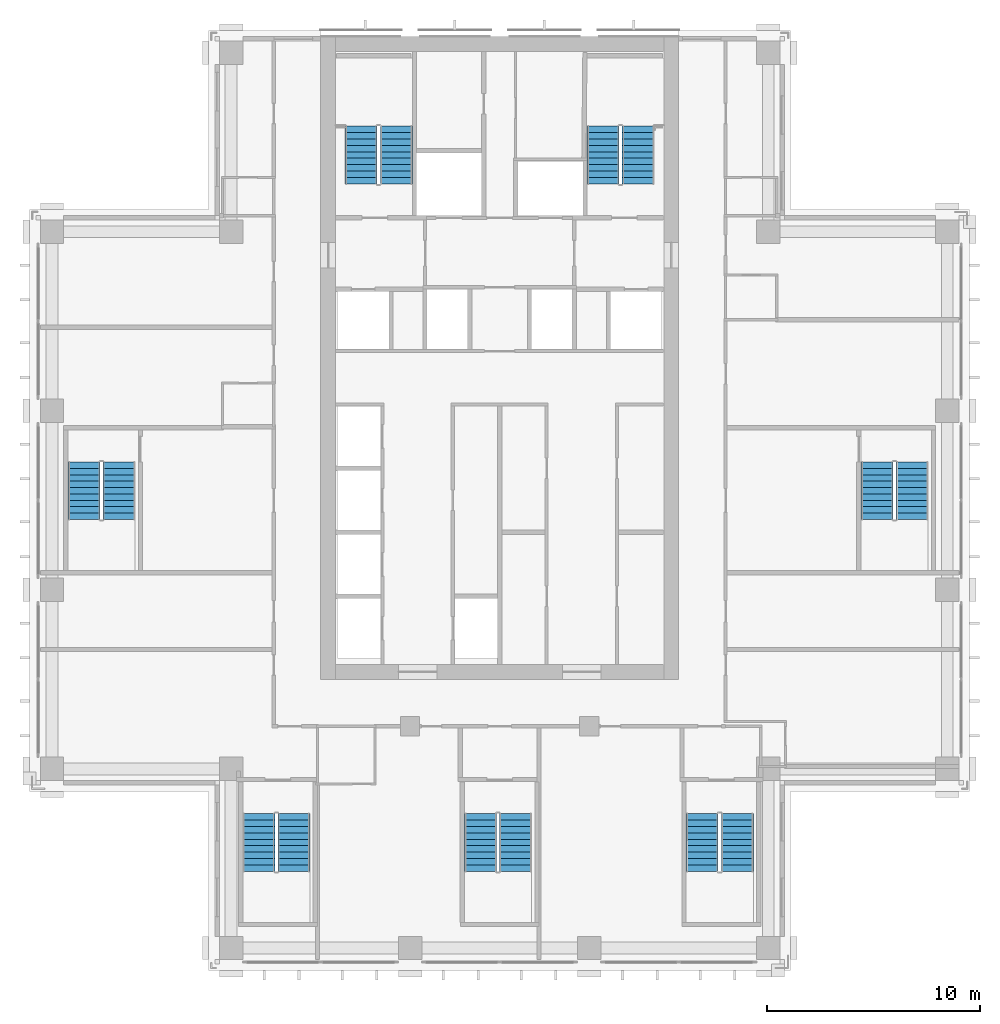
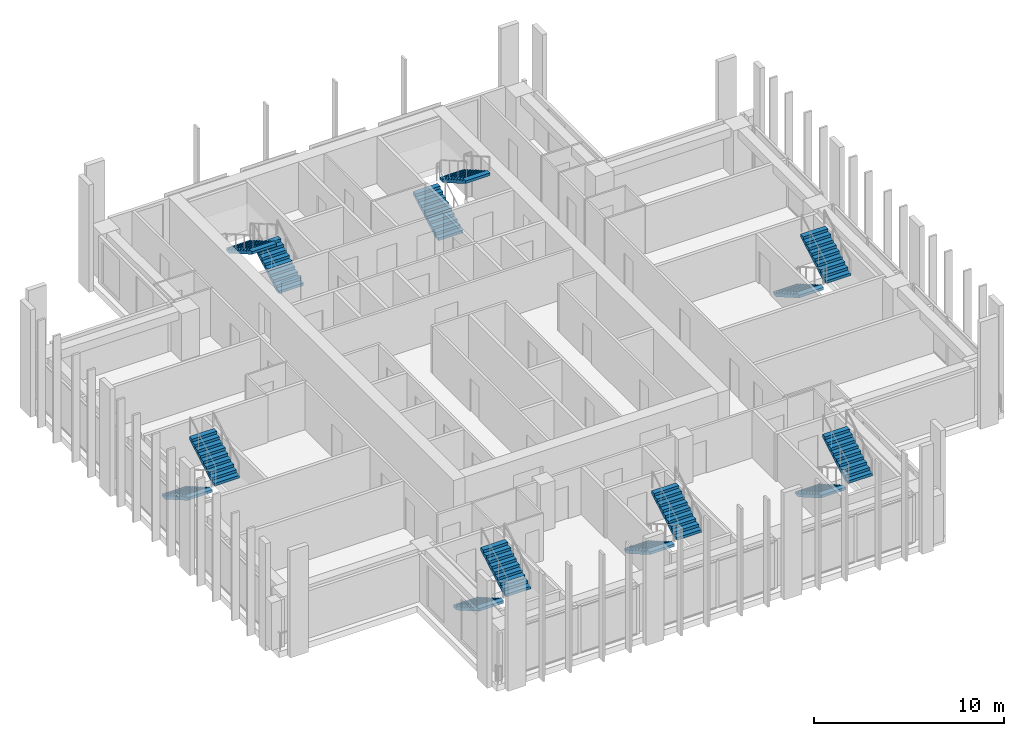
# One storey, part 13 of 16: 14 stair flights, 7 elements without a shape of their own.
"""IFC4 building model written with IfcOpenShell, lengths in metres."""

from ifc_helpers import new_model, si_unit, direction, frame, origin, place, context, subcontext, project, spatial, polyline, outline, extrude, material, type_object, element, aggregate, save


model = new_model("IFC4")

# Units and contexts
model_context = context("Model", 3, precision=1e-05, world=origin(), true_north=direction((0.0, 1.0)))
body_context = subcontext(model_context, "Body", "Model", "MODEL_VIEW")
ifc_project = project(units=[si_unit("LENGTHUNIT", "METRE"), si_unit("AREAUNIT", "SQUARE_METRE"), si_unit("VOLUMEUNIT", "CUBIC_METRE"), si_unit("PLANEANGLEUNIT", "RADIAN"), si_unit("MASSUNIT", "GRAM", prefix="KILO")], contexts=[model_context])

# Site, building, storey
site_placement = place(None, origin())
site = spatial("IfcSite", under=ifc_project, at=site_placement, CompositionType="ELEMENT")
building_placement = place(site_placement, origin())
building = spatial("IfcBuilding", under=site, at=building_placement, Name="Vermilion Ogive Tower", CompositionType="ELEMENT")
storey_placement = place(building_placement, frame((0.0, 0.0, 143.449951171875)))
storey = spatial("IfcBuildingStorey", under=building, at=storey_placement, Name="L36", CompositionType="ELEMENT", Elevation=143.449951171875)

# Stair, stair flights
ifc_material_1 = material(Name="Concrete B40", Category="concrete")
stair_type = type_object("IfcStairType", Name="Exit stair 1500", PredefinedType="HALF_TURN_STAIR", material=ifc_material_1)
stair_1_placement = place(storey_placement, origin())
stair_1 = element("IfcStair", 1, at=stair_1_placement, inside=storey, type_object=stair_type, Name="L36 Exit Stair ST1", PredefinedType="HALF_TURN_STAIR")
ifc_material_2 = material(Name="Concrete B40", Category="concrete")
stair_flight_type = type_object("IfcStairFlightType", Name="Stair flight 1500", PredefinedType="STRAIGHT", material=ifc_material_2)
stair_flight_1_placement = place(storey_placement, frame((-4.85009765625, 14.85009765625, 0.0), z_axis=(0.0, 0.0, 1.0), x_axis=(0.0, 1.0, 0.0)))
stair_flight_1 = element("IfcStairFlight", 2, at=stair_flight_1_placement, type_object=stair_flight_type, Name="ST1 flight 1", NumberOfRisers=10, NumberOfTreads=9, PredefinedType="STRAIGHT", RiserHeight=0.1725, TreadLength=0.3, context=body_context, shape_type="SweptSolid", body=[
    extrude(outline(polyline([(0.0, 0.0), (0.0, 0.172607421875), (0.300048828125, 0.172607421875), (0.300048828125, 0.344970703125), (0.60009765625, 0.344970703125), (0.60009765625, 0.517578125), (0.89990234375, 0.517578125), (0.89990234375, 0.68994140625), (1.199951171875, 0.68994140625), (1.199951171875, 0.862548828125), (1.5, 0.862548828125), (1.5, 1.034912109375), (1.800048828125, 1.034912109375), (1.800048828125, 1.20751953125), (2.10009765625, 1.20751953125), (2.10009765625, 1.3798828125), (2.39990234375, 1.3798828125), (2.39990234375, 1.552490234375), (2.699951171875, 1.552490234375), (2.699951171875, 1.72509765625), (2.699951171875, 1.379638671875), (0.30078125, 0.0), (0.0, 0.0)])), frame((0.0, 0.75, 0.0), z_axis=(0.0, -1.0, 0.0), x_axis=(1.0, 0.0, 0.0)), (0.0, 0.0, 1.0), 1.5),
])
stair_flight_2_placement = place(storey_placement, frame((-6.5, 17.550048828125, 1.72509765625), z_axis=(0.0, 0.0, 1.0), x_axis=(0.0, -1.0, 0.0)))
stair_flight_2 = element("IfcStairFlight", 3, at=stair_flight_2_placement, type_object=stair_flight_type, Name="ST1 flight 2", NumberOfRisers=10, NumberOfTreads=9, PredefinedType="STRAIGHT", RiserHeight=0.1725, TreadLength=0.3, context=body_context, shape_type="SweptSolid", body=[
    extrude(outline(polyline([(0.0, 0.0), (0.0, 0.172607421875), (0.300048828125, 0.172607421875), (0.300048828125, 0.344970703125), (0.60009765625, 0.344970703125), (0.60009765625, 0.517578125), (0.89990234375, 0.517578125), (0.89990234375, 0.68994140625), (1.199951171875, 0.68994140625), (1.199951171875, 0.862548828125), (1.5, 0.862548828125), (1.5, 1.034912109375), (1.800048828125, 1.034912109375), (1.800048828125, 1.20751953125), (2.10009765625, 1.20751953125), (2.10009765625, 1.3798828125), (2.39990234375, 1.3798828125), (2.39990234375, 1.552490234375), (2.699951171875, 1.552490234375), (2.699951171875, 1.72509765625), (2.699951171875, 1.379638671875), (0.30078125, 0.0), (0.0, 0.0)])), frame((0.0, 0.75, 0.0), z_axis=(0.0, -1.0, 0.0), x_axis=(1.0, 0.0, 0.0)), (0.0, 0.0, 1.0), 1.5),
])
aggregate(stair_1, [stair_flight_1, stair_flight_2])

stair_2_placement = place(storey_placement, origin())
stair_2 = element("IfcStair", 4, at=stair_2_placement, inside=storey, type_object=stair_type, Name="L36 Exit Stair ST2", PredefinedType="HALF_TURN_STAIR")
stair_flight_3_placement = place(storey_placement, frame((4.85009765625, 14.85009765625, 0.0), z_axis=(0.0, 0.0, 1.0), x_axis=(0.0, 1.0, 0.0)))
stair_flight_3 = element("IfcStairFlight", 5, at=stair_flight_3_placement, type_object=stair_flight_type, Name="ST2 flight 1", NumberOfRisers=10, NumberOfTreads=9, PredefinedType="STRAIGHT", RiserHeight=0.1725, TreadLength=0.3, context=body_context, shape_type="SweptSolid", body=[
    extrude(outline(polyline([(0.0, 0.0), (0.0, 0.172607421875), (0.300048828125, 0.172607421875), (0.300048828125, 0.344970703125), (0.60009765625, 0.344970703125), (0.60009765625, 0.517578125), (0.89990234375, 0.517578125), (0.89990234375, 0.68994140625), (1.199951171875, 0.68994140625), (1.199951171875, 0.862548828125), (1.5, 0.862548828125), (1.5, 1.034912109375), (1.800048828125, 1.034912109375), (1.800048828125, 1.20751953125), (2.10009765625, 1.20751953125), (2.10009765625, 1.3798828125), (2.39990234375, 1.3798828125), (2.39990234375, 1.552490234375), (2.699951171875, 1.552490234375), (2.699951171875, 1.72509765625), (2.699951171875, 1.379638671875), (0.30078125, 0.0), (0.0, 0.0)])), frame((0.0, 0.75, 0.0), z_axis=(0.0, -1.0, 0.0), x_axis=(1.0, 0.0, 0.0)), (0.0, 0.0, 1.0), 1.5),
])
stair_flight_4_placement = place(storey_placement, frame((6.5, 17.550048828125, 1.72509765625), z_axis=(0.0, 0.0, 1.0), x_axis=(0.0, -1.0, 0.0)))
stair_flight_4 = element("IfcStairFlight", 6, at=stair_flight_4_placement, type_object=stair_flight_type, Name="ST2 flight 2", NumberOfRisers=10, NumberOfTreads=9, PredefinedType="STRAIGHT", RiserHeight=0.1725, TreadLength=0.3, context=body_context, shape_type="SweptSolid", body=[
    extrude(outline(polyline([(0.0, 0.0), (0.0, 0.172607421875), (0.300048828125, 0.172607421875), (0.300048828125, 0.344970703125), (0.60009765625, 0.344970703125), (0.60009765625, 0.517578125), (0.89990234375, 0.517578125), (0.89990234375, 0.68994140625), (1.199951171875, 0.68994140625), (1.199951171875, 0.862548828125), (1.5, 0.862548828125), (1.5, 1.034912109375), (1.800048828125, 1.034912109375), (1.800048828125, 1.20751953125), (2.10009765625, 1.20751953125), (2.10009765625, 1.3798828125), (2.39990234375, 1.3798828125), (2.39990234375, 1.552490234375), (2.699951171875, 1.552490234375), (2.699951171875, 1.72509765625), (2.699951171875, 1.379638671875), (0.30078125, 0.0), (0.0, 0.0)])), frame((0.0, 0.75, 0.0), z_axis=(0.0, -1.0, 0.0), x_axis=(1.0, 0.0, 0.0)), (0.0, 0.0, 1.0), 1.5),
])
aggregate(stair_2, [stair_flight_3, stair_flight_4])

stair_3_placement = place(storey_placement, origin())
stair_3 = element("IfcStair", 7, at=stair_3_placement, inside=storey, type_object=stair_type, Name="L36 Exit Stair ST3", PredefinedType="HALF_TURN_STAIR")
stair_flight_5_placement = place(storey_placement, frame((-11.300048828125, -14.699951171875, 0.0), z_axis=(0.0, 0.0, 1.0), x_axis=(0.0, -1.0, 0.0)))
stair_flight_5 = element("IfcStairFlight", 8, at=stair_flight_5_placement, type_object=stair_flight_type, Name="ST3 flight 1", NumberOfRisers=10, NumberOfTreads=9, PredefinedType="STRAIGHT", RiserHeight=0.1725, TreadLength=0.3, context=body_context, shape_type="SweptSolid", body=[
    extrude(outline(polyline([(0.0, 0.0), (0.0, 0.172607421875), (0.300048828125, 0.172607421875), (0.300048828125, 0.344970703125), (0.60009765625, 0.344970703125), (0.60009765625, 0.517578125), (0.89990234375, 0.517578125), (0.89990234375, 0.68994140625), (1.199951171875, 0.68994140625), (1.199951171875, 0.862548828125), (1.5, 0.862548828125), (1.5, 1.034912109375), (1.800048828125, 1.034912109375), (1.800048828125, 1.20751953125), (2.10009765625, 1.20751953125), (2.10009765625, 1.3798828125), (2.39990234375, 1.3798828125), (2.39990234375, 1.552490234375), (2.699951171875, 1.552490234375), (2.699951171875, 1.72509765625), (2.699951171875, 1.379638671875), (0.30078125, 0.0), (0.0, 0.0)])), frame((0.0, 0.75, 0.0), z_axis=(0.0, -1.0, 0.0), x_axis=(1.0, 0.0, 0.0)), (0.0, 0.0, 1.0), 1.5),
])
stair_flight_6_placement = place(storey_placement, frame((-9.64990234375, -17.39990234375, 1.72509765625), z_axis=(0.0, 0.0, 1.0), x_axis=(0.0, 1.0, 0.0)))
stair_flight_6 = element("IfcStairFlight", 9, at=stair_flight_6_placement, type_object=stair_flight_type, Name="ST3 flight 2", NumberOfRisers=10, NumberOfTreads=9, PredefinedType="STRAIGHT", RiserHeight=0.1725, TreadLength=0.3, context=body_context, shape_type="SweptSolid", body=[
    extrude(outline(polyline([(0.0, 0.0), (0.0, 0.172607421875), (0.300048828125, 0.172607421875), (0.300048828125, 0.344970703125), (0.60009765625, 0.344970703125), (0.60009765625, 0.517578125), (0.89990234375, 0.517578125), (0.89990234375, 0.68994140625), (1.199951171875, 0.68994140625), (1.199951171875, 0.862548828125), (1.5, 0.862548828125), (1.5, 1.034912109375), (1.800048828125, 1.034912109375), (1.800048828125, 1.20751953125), (2.10009765625, 1.20751953125), (2.10009765625, 1.3798828125), (2.39990234375, 1.3798828125), (2.39990234375, 1.552490234375), (2.699951171875, 1.552490234375), (2.699951171875, 1.72509765625), (2.699951171875, 1.379638671875), (0.30078125, 0.0), (0.0, 0.0)])), frame((0.0, 0.75, 0.0), z_axis=(0.0, -1.0, 0.0), x_axis=(1.0, 0.0, 0.0)), (0.0, 0.0, 1.0), 1.5),
])
aggregate(stair_3, [stair_flight_5, stair_flight_6])

stair_4_placement = place(storey_placement, origin())
stair_4 = element("IfcStair", 10, at=stair_4_placement, inside=storey, type_object=stair_type, Name="L36 Exit Stair ST4", PredefinedType="HALF_TURN_STAIR")
stair_flight_7_placement = place(storey_placement, frame((-0.89990234375, -14.699951171875, 0.0), z_axis=(0.0, 0.0, 1.0), x_axis=(0.0, -1.0, 0.0)))
stair_flight_7 = element("IfcStairFlight", 11, at=stair_flight_7_placement, type_object=stair_flight_type, Name="ST4 flight 1", NumberOfRisers=10, NumberOfTreads=9, PredefinedType="STRAIGHT", RiserHeight=0.1725, TreadLength=0.3, context=body_context, shape_type="SweptSolid", body=[
    extrude(outline(polyline([(0.0, 0.0), (0.0, 0.172607421875), (0.300048828125, 0.172607421875), (0.300048828125, 0.344970703125), (0.60009765625, 0.344970703125), (0.60009765625, 0.517578125), (0.89990234375, 0.517578125), (0.89990234375, 0.68994140625), (1.199951171875, 0.68994140625), (1.199951171875, 0.862548828125), (1.5, 0.862548828125), (1.5, 1.034912109375), (1.800048828125, 1.034912109375), (1.800048828125, 1.20751953125), (2.10009765625, 1.20751953125), (2.10009765625, 1.3798828125), (2.39990234375, 1.3798828125), (2.39990234375, 1.552490234375), (2.699951171875, 1.552490234375), (2.699951171875, 1.72509765625), (2.699951171875, 1.379638671875), (0.30078125, 0.0), (0.0, 0.0)])), frame((0.0, 0.75, 0.0), z_axis=(0.0, -1.0, 0.0), x_axis=(1.0, 0.0, 0.0)), (0.0, 0.0, 1.0), 1.5),
])
stair_flight_8_placement = place(storey_placement, frame((0.75, -17.39990234375, 1.72509765625), z_axis=(0.0, 0.0, 1.0), x_axis=(0.0, 1.0, 0.0)))
stair_flight_8 = element("IfcStairFlight", 12, at=stair_flight_8_placement, type_object=stair_flight_type, Name="ST4 flight 2", NumberOfRisers=10, NumberOfTreads=9, PredefinedType="STRAIGHT", RiserHeight=0.1725, TreadLength=0.3, context=body_context, shape_type="SweptSolid", body=[
    extrude(outline(polyline([(0.0, 0.0), (0.0, 0.172607421875), (0.300048828125, 0.172607421875), (0.300048828125, 0.344970703125), (0.60009765625, 0.344970703125), (0.60009765625, 0.517578125), (0.89990234375, 0.517578125), (0.89990234375, 0.68994140625), (1.199951171875, 0.68994140625), (1.199951171875, 0.862548828125), (1.5, 0.862548828125), (1.5, 1.034912109375), (1.800048828125, 1.034912109375), (1.800048828125, 1.20751953125), (2.10009765625, 1.20751953125), (2.10009765625, 1.3798828125), (2.39990234375, 1.3798828125), (2.39990234375, 1.552490234375), (2.699951171875, 1.552490234375), (2.699951171875, 1.72509765625), (2.699951171875, 1.379638671875), (0.30078125, 0.0), (0.0, 0.0)])), frame((0.0, 0.75, 0.0), z_axis=(0.0, -1.0, 0.0), x_axis=(1.0, 0.0, 0.0)), (0.0, 0.0, 1.0), 1.5),
])
aggregate(stair_4, [stair_flight_7, stair_flight_8])

stair_5_placement = place(storey_placement, origin())
stair_5 = element("IfcStair", 13, at=stair_5_placement, inside=storey, type_object=stair_type, Name="L36 Exit Stair ST5", PredefinedType="HALF_TURN_STAIR")
stair_flight_9_placement = place(storey_placement, frame((9.5, -14.699951171875, 0.0), z_axis=(0.0, 0.0, 1.0), x_axis=(0.0, -1.0, 0.0)))
stair_flight_9 = element("IfcStairFlight", 14, at=stair_flight_9_placement, type_object=stair_flight_type, Name="ST5 flight 1", NumberOfRisers=10, NumberOfTreads=9, PredefinedType="STRAIGHT", RiserHeight=0.1725, TreadLength=0.3, context=body_context, shape_type="SweptSolid", body=[
    extrude(outline(polyline([(0.0, 0.0), (0.0, 0.172607421875), (0.300048828125, 0.172607421875), (0.300048828125, 0.344970703125), (0.60009765625, 0.344970703125), (0.60009765625, 0.517578125), (0.89990234375, 0.517578125), (0.89990234375, 0.68994140625), (1.199951171875, 0.68994140625), (1.199951171875, 0.862548828125), (1.5, 0.862548828125), (1.5, 1.034912109375), (1.800048828125, 1.034912109375), (1.800048828125, 1.20751953125), (2.10009765625, 1.20751953125), (2.10009765625, 1.3798828125), (2.39990234375, 1.3798828125), (2.39990234375, 1.552490234375), (2.699951171875, 1.552490234375), (2.699951171875, 1.72509765625), (2.699951171875, 1.379638671875), (0.30078125, 0.0), (0.0, 0.0)])), frame((0.0, 0.75, 0.0), z_axis=(0.0, -1.0, 0.0), x_axis=(1.0, 0.0, 0.0)), (0.0, 0.0, 1.0), 1.5),
])
stair_flight_10_placement = place(storey_placement, frame((11.14990234375, -17.39990234375, 1.72509765625), z_axis=(0.0, 0.0, 1.0), x_axis=(0.0, 1.0, 0.0)))
stair_flight_10 = element("IfcStairFlight", 15, at=stair_flight_10_placement, type_object=stair_flight_type, Name="ST5 flight 2", NumberOfRisers=10, NumberOfTreads=9, PredefinedType="STRAIGHT", RiserHeight=0.1725, TreadLength=0.3, context=body_context, shape_type="SweptSolid", body=[
    extrude(outline(polyline([(0.0, 0.0), (0.0, 0.172607421875), (0.300048828125, 0.172607421875), (0.300048828125, 0.344970703125), (0.60009765625, 0.344970703125), (0.60009765625, 0.517578125), (0.89990234375, 0.517578125), (0.89990234375, 0.68994140625), (1.199951171875, 0.68994140625), (1.199951171875, 0.862548828125), (1.5, 0.862548828125), (1.5, 1.034912109375), (1.800048828125, 1.034912109375), (1.800048828125, 1.20751953125), (2.10009765625, 1.20751953125), (2.10009765625, 1.3798828125), (2.39990234375, 1.3798828125), (2.39990234375, 1.552490234375), (2.699951171875, 1.552490234375), (2.699951171875, 1.72509765625), (2.699951171875, 1.379638671875), (0.30078125, 0.0), (0.0, 0.0)])), frame((0.0, 0.75, 0.0), z_axis=(0.0, -1.0, 0.0), x_axis=(1.0, 0.0, 0.0)), (0.0, 0.0, 1.0), 1.5),
])
aggregate(stair_5, [stair_flight_9, stair_flight_10])

stair_6_placement = place(storey_placement, origin())
stair_6 = element("IfcStair", 16, at=stair_6_placement, inside=storey, type_object=stair_type, Name="L36 Exit Stair ST8", PredefinedType="HALF_TURN_STAIR")
stair_flight_11_placement = place(storey_placement, frame((17.699951171875, 1.800048828125, 0.0), z_axis=(0.0, 0.0, 1.0), x_axis=(0.0, -1.0, 0.0)))
stair_flight_11 = element("IfcStairFlight", 17, at=stair_flight_11_placement, type_object=stair_flight_type, Name="ST8 flight 1", NumberOfRisers=10, NumberOfTreads=9, PredefinedType="STRAIGHT", RiserHeight=0.1725, TreadLength=0.3, context=body_context, shape_type="SweptSolid", body=[
    extrude(outline(polyline([(0.0, 0.0), (0.0, 0.172607421875), (0.300048828125, 0.172607421875), (0.300048828125, 0.344970703125), (0.60009765625, 0.344970703125), (0.60009765625, 0.517578125), (0.89990234375, 0.517578125), (0.89990234375, 0.68994140625), (1.199951171875, 0.68994140625), (1.199951171875, 0.862548828125), (1.5, 0.862548828125), (1.5, 1.034912109375), (1.800048828125, 1.034912109375), (1.800048828125, 1.20751953125), (2.10009765625, 1.20751953125), (2.10009765625, 1.3798828125), (2.39990234375, 1.3798828125), (2.39990234375, 1.552490234375), (2.699951171875, 1.552490234375), (2.699951171875, 1.72509765625), (2.699951171875, 1.379638671875), (0.30078125, 0.0), (0.0, 0.0)])), frame((0.0, 0.75, 0.0), z_axis=(0.0, -1.0, 0.0), x_axis=(1.0, 0.0, 0.0)), (0.0, 0.0, 1.0), 1.5),
])
stair_flight_12_placement = place(storey_placement, frame((19.35009765625, -0.89990234375, 1.72509765625), z_axis=(0.0, 0.0, 1.0), x_axis=(0.0, 1.0, 0.0)))
stair_flight_12 = element("IfcStairFlight", 18, at=stair_flight_12_placement, type_object=stair_flight_type, Name="ST8 flight 2", NumberOfRisers=10, NumberOfTreads=9, PredefinedType="STRAIGHT", RiserHeight=0.1725, TreadLength=0.3, context=body_context, shape_type="SweptSolid", body=[
    extrude(outline(polyline([(0.0, 0.0), (0.0, 0.172607421875), (0.300048828125, 0.172607421875), (0.300048828125, 0.344970703125), (0.60009765625, 0.344970703125), (0.60009765625, 0.517578125), (0.89990234375, 0.517578125), (0.89990234375, 0.68994140625), (1.199951171875, 0.68994140625), (1.199951171875, 0.862548828125), (1.5, 0.862548828125), (1.5, 1.034912109375), (1.800048828125, 1.034912109375), (1.800048828125, 1.20751953125), (2.10009765625, 1.20751953125), (2.10009765625, 1.3798828125), (2.39990234375, 1.3798828125), (2.39990234375, 1.552490234375), (2.699951171875, 1.552490234375), (2.699951171875, 1.72509765625), (2.699951171875, 1.379638671875), (0.30078125, 0.0), (0.0, 0.0)])), frame((0.0, 0.75, 0.0), z_axis=(0.0, -1.0, 0.0), x_axis=(1.0, 0.0, 0.0)), (0.0, 0.0, 1.0), 1.5),
])
aggregate(stair_6, [stair_flight_11, stair_flight_12])

stair_7_placement = place(storey_placement, origin())
stair_7 = element("IfcStair", 19, at=stair_7_placement, inside=storey, type_object=stair_type, Name="L36 Exit Stair ST9", PredefinedType="HALF_TURN_STAIR")
stair_flight_13_placement = place(storey_placement, frame((-19.5, 1.800048828125, 0.0), z_axis=(0.0, 0.0, 1.0), x_axis=(0.0, -1.0, 0.0)))
stair_flight_13 = element("IfcStairFlight", 20, at=stair_flight_13_placement, type_object=stair_flight_type, Name="ST9 flight 1", NumberOfRisers=10, NumberOfTreads=9, PredefinedType="STRAIGHT", RiserHeight=0.1725, TreadLength=0.3, context=body_context, shape_type="SweptSolid", body=[
    extrude(outline(polyline([(0.0, 0.0), (0.0, 0.172607421875), (0.300048828125, 0.172607421875), (0.300048828125, 0.344970703125), (0.60009765625, 0.344970703125), (0.60009765625, 0.517578125), (0.89990234375, 0.517578125), (0.89990234375, 0.68994140625), (1.199951171875, 0.68994140625), (1.199951171875, 0.862548828125), (1.5, 0.862548828125), (1.5, 1.034912109375), (1.800048828125, 1.034912109375), (1.800048828125, 1.20751953125), (2.10009765625, 1.20751953125), (2.10009765625, 1.3798828125), (2.39990234375, 1.3798828125), (2.39990234375, 1.552490234375), (2.699951171875, 1.552490234375), (2.699951171875, 1.72509765625), (2.699951171875, 1.379638671875), (0.30078125, 0.0), (0.0, 0.0)])), frame((0.0, 0.75, 0.0), z_axis=(0.0, -1.0, 0.0), x_axis=(1.0, 0.0, 0.0)), (0.0, 0.0, 1.0), 1.5),
])
stair_flight_14_placement = place(storey_placement, frame((-17.85009765625, -0.89990234375, 1.72509765625), z_axis=(0.0, 0.0, 1.0), x_axis=(0.0, 1.0, 0.0)))
stair_flight_14 = element("IfcStairFlight", 21, at=stair_flight_14_placement, type_object=stair_flight_type, Name="ST9 flight 2", NumberOfRisers=10, NumberOfTreads=9, PredefinedType="STRAIGHT", RiserHeight=0.1725, TreadLength=0.3, context=body_context, shape_type="SweptSolid", body=[
    extrude(outline(polyline([(0.0, 0.0), (0.0, 0.172607421875), (0.300048828125, 0.172607421875), (0.300048828125, 0.344970703125), (0.60009765625, 0.344970703125), (0.60009765625, 0.517578125), (0.89990234375, 0.517578125), (0.89990234375, 0.68994140625), (1.199951171875, 0.68994140625), (1.199951171875, 0.862548828125), (1.5, 0.862548828125), (1.5, 1.034912109375), (1.800048828125, 1.034912109375), (1.800048828125, 1.20751953125), (2.10009765625, 1.20751953125), (2.10009765625, 1.3798828125), (2.39990234375, 1.3798828125), (2.39990234375, 1.552490234375), (2.699951171875, 1.552490234375), (2.699951171875, 1.72509765625), (2.699951171875, 1.379638671875), (0.30078125, 0.0), (0.0, 0.0)])), frame((0.0, 0.75, 0.0), z_axis=(0.0, -1.0, 0.0), x_axis=(1.0, 0.0, 0.0)), (0.0, 0.0, 1.0), 1.5),
])
aggregate(stair_7, [stair_flight_13, stair_flight_14])

save(model, "model.ifc")
